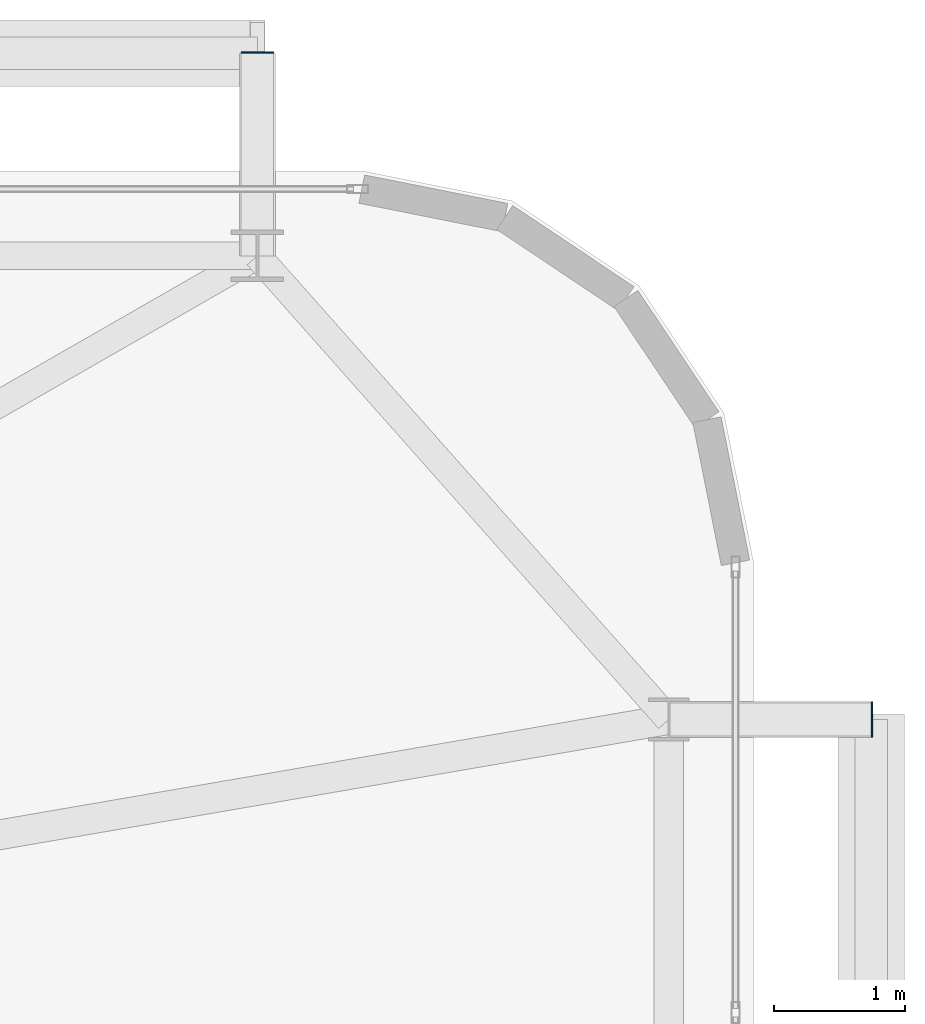
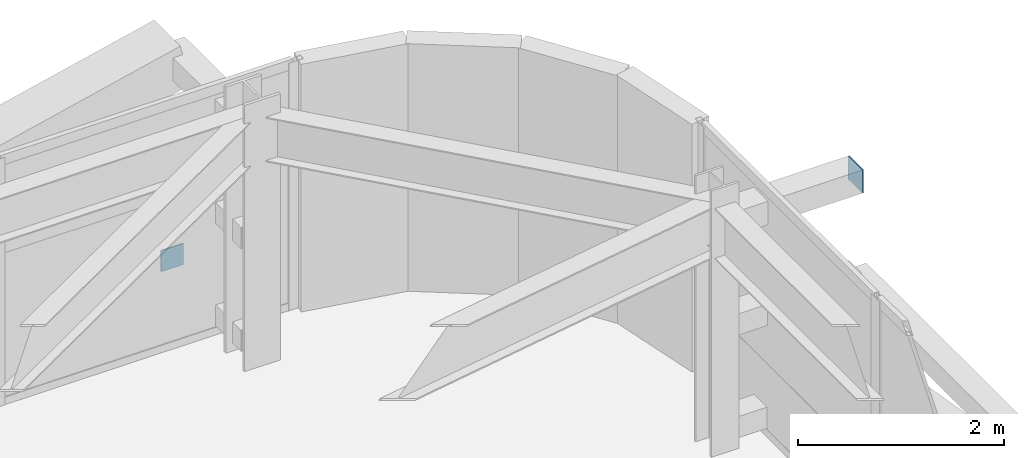
# One storey, part 51 of 59: 2 plates.
"""IFC4 building model written with IfcOpenShell, lengths in metres."""

from ifc_helpers import new_model, si_unit, direction, frame, origin, origin_2d, place, context, subcontext, project, spatial, rectangle, extrude, source, transform, mapped, material, layer, layer_set, type_object, element, save


model = new_model("IFC4")

# Units and contexts
model_context = context("Model", 3, precision=1e-05, world=origin(), true_north=direction((0.0, 1.0)))
body_context = subcontext(model_context, "Body", "Model", "MODEL_VIEW")
ifc_project = project(units=[si_unit("LENGTHUNIT", "METRE"), si_unit("AREAUNIT", "SQUARE_METRE"), si_unit("VOLUMEUNIT", "CUBIC_METRE"), si_unit("PLANEANGLEUNIT", "RADIAN"), si_unit("MASSUNIT", "GRAM", prefix="KILO")], contexts=[model_context])

# Site, building, storey
site_placement = place(None, origin())
site = spatial("IfcSite", under=ifc_project, at=site_placement, CompositionType="ELEMENT")
building_placement = place(site_placement, origin())
building = spatial("IfcBuilding", under=site, at=building_placement, Name="Taldren Reach Tower", CompositionType="ELEMENT")
storey_placement = place(building_placement, frame((0.0, 0.0, 48.300048828125)))
storey = spatial("IfcBuildingStorey", under=building, at=storey_placement, Name="L14", CompositionType="ELEMENT", Elevation=48.300048828125)

# Plates
ifc_material_1 = material(Name="Steel Gr 450 (C450L0)", Category="steel")
ifc_layer_1 = layer(ifc_material_1, 0.011962890625)
ifc_layer_set_1 = layer_set([ifc_layer_1], Name="Steel Gr 450 (C450L0)")
plate_type_1 = type_object("IfcPlateType", Name="PL-CAP-275", PredefinedType="SHEET", material=ifc_layer_set_1)
shared_shape_1 = source(origin(), body_context, "Body", "SweptSolid", [
    extrude(rectangle(XDim=0.011962890625, YDim=0.27490234375, at=origin_2d()), origin(), (0.0, 0.0, 1.0), 0.27490234375),
])
plate_1_placement = place(storey_placement, frame((65.906005859375, 34.300048828125, 2.512451171875), z_axis=(0.0, 0.0, 1.0), x_axis=(1.0, 0.0, 0.0)))
element("IfcPlate", 1, at=plate_1_placement, inside=storey, type_object=plate_type_1, Name="Tie strut end cap plate B1-E3 L14", PredefinedType="SHEET", context=body_context, shape_type="MappedRepresentation", body=[
    mapped(shared_shape_1, transform((0.0, 0.0, 0.0), scale=1.0)),
])
ifc_material_2 = material(Name="Steel Gr 350 (C350L0)", Category="steel")
ifc_layer_2 = layer(ifc_material_2, 0.011962890625)
ifc_layer_set_2 = layer_set([ifc_layer_2], Name="Steel Gr 350 (C350L0)")
plate_type_2 = type_object("IfcPlateType", Name="PL-CAP-250", PredefinedType="SHEET", material=ifc_layer_set_2)
shared_shape_2 = source(origin(), body_context, "Body", "SweptSolid", [
    extrude(rectangle(XDim=0.25, YDim=0.011962890625, at=origin_2d()), origin(), (0.0, 0.0, 1.0), 0.25),
])
plate_2_placement = place(storey_placement, frame((61.199951171875, 39.406005859375, 0.094970703125), z_axis=(0.0, 0.0, 1.0), x_axis=(1.0, 0.0, 0.0)))
element("IfcPlate", 2, at=plate_2_placement, inside=storey, type_object=plate_type_2, Name="Tie strut end cap plate B1-N6 L14", PredefinedType="SHEET", context=body_context, shape_type="MappedRepresentation", body=[
    mapped(shared_shape_2, transform((0.0, 0.0, 0.0), scale=1.0)),
])

save(model, "model.ifc")
